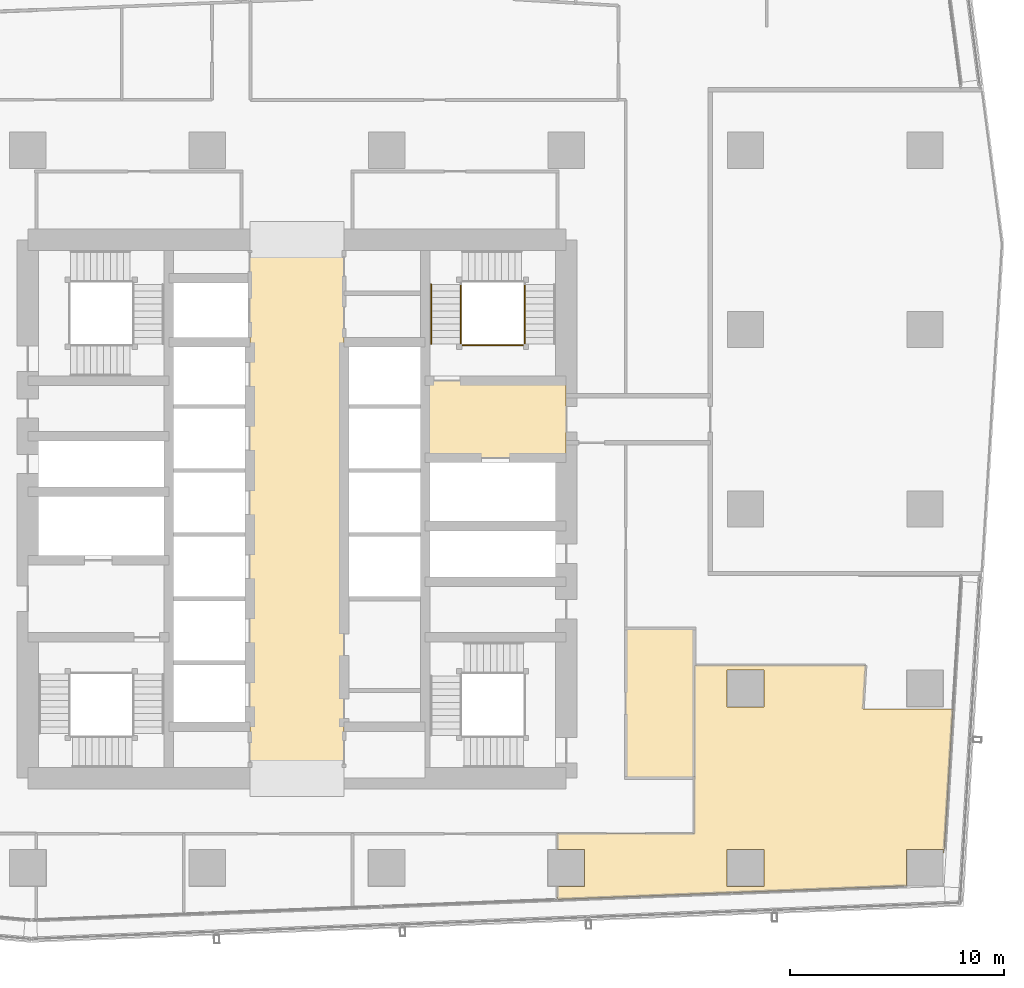
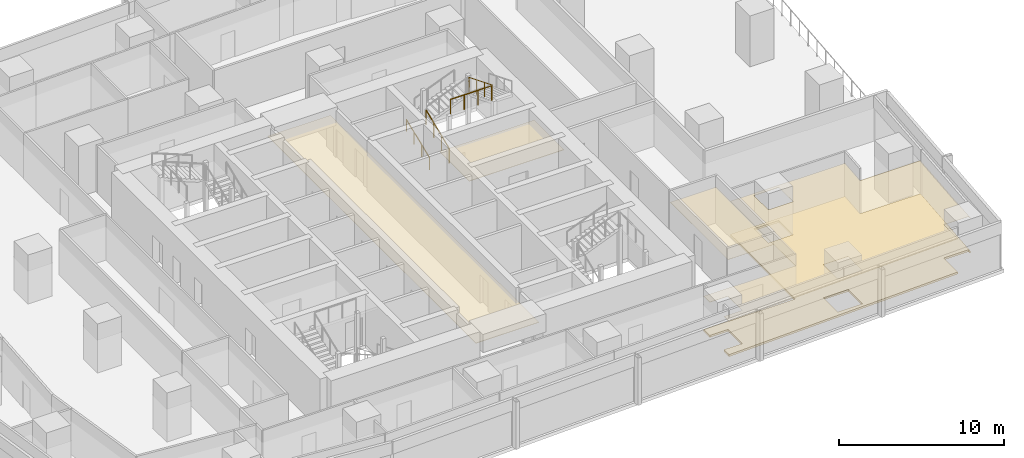
# One storey, part 38 of 40: 5 coverings, 4 railings.
"""IFC4 building model written with IfcOpenShell, lengths in metres."""

from ifc_helpers import new_model, si_unit, direction, frame, origin, origin_2d, place, context, subcontext, project, spatial, polyline, circle, outline, extrude, material, layer, layer_set, type_object, element, save


model = new_model("IFC4")

# Units and contexts
model_context = context("Model", 3, precision=1e-05, world=origin(), true_north=direction((0.0, 1.0)))
body_context = subcontext(model_context, "Body", "Model", "MODEL_VIEW")
ifc_project = project(units=[si_unit("LENGTHUNIT", "METRE"), si_unit("AREAUNIT", "SQUARE_METRE"), si_unit("VOLUMEUNIT", "CUBIC_METRE"), si_unit("PLANEANGLEUNIT", "RADIAN"), si_unit("MASSUNIT", "GRAM", prefix="KILO")], contexts=[model_context])

# Site, building, storey
site_placement = place(None, origin())
site = spatial("IfcSite", under=ifc_project, at=site_placement, CompositionType="ELEMENT")
building_placement = place(site_placement, origin())
building = spatial("IfcBuilding", under=site, at=building_placement, Name="Rekha Terrace Tower", CompositionType="ELEMENT")
storey_placement = place(building_placement, frame((0.0, 0.0, 129.050048828125)))
storey = spatial("IfcBuildingStorey", under=building, at=storey_placement, Name="L32", CompositionType="ELEMENT", Elevation=129.050048828125)

# Coverings
ifc_material_1 = material(Name="Mineral fibre tile in exposed grid", Category="finish")
ifc_layer_1 = layer(ifc_material_1, 0.02001953125)
ifc_layer_set_1 = layer_set([ifc_layer_1], Name="Mineral fibre tile in exposed grid")
covering_type_1 = type_object("IfcCoveringType", Name="CL1 600x1200 office grid ceiling", PredefinedType="CEILING", material=ifc_layer_set_1)
covering_1_placement = place(storey_placement, frame((0.0, 0.0, 2.579833984375)))
element("IfcCovering", 1, at=covering_1_placement, inside=storey, type_object=covering_type_1, Name="Ceiling L32-12", PredefinedType="CEILING", context=body_context, shape_type="SweptSolid", body=[
    extrude(outline(polyline([(49.998046875, 15.321044921875), (57.8369140625, 15.6259765625), (66.3349609375, 15.95703125), (66.3349609375, 17.6650390625), (68.06494140625, 17.6650390625), (68.06494140625, 17.48291015625), (68.090087890625, 17.48193359375), (68.493896484375, 24.072021484375), (68.50390625, 24.23291015625), (64.2958984375, 24.23291015625), (64.4208984375, 26.277099609375), (56.39990234375, 26.277099609375), (56.39990234375, 18.39990234375), (49.998046875, 18.39990234375), (49.998046875, 17.6650390625), (51.264892578125, 17.6650390625), (51.264892578125, 15.93505859375), (49.998046875, 15.93505859375), (49.998046875, 15.321044921875)]), holes=[polyline([(59.6650390625, 15.93505859375), (57.93505859375, 15.93505859375), (57.93505859375, 17.6650390625), (59.6650390625, 17.6650390625), (59.6650390625, 15.93505859375)]), polyline([(59.6650390625, 26.06494140625), (59.6650390625, 24.3349609375), (57.93505859375, 24.3349609375), (57.93505859375, 26.06494140625), (59.6650390625, 26.06494140625)])]), origin(), (0.0, 0.0, 1.0), 0.02001953125),
])
ifc_material_2 = material(Name="Fibre cement board", Category="finish")
ifc_layer_2 = layer(ifc_material_2, 0.014892578125)
ifc_layer_set_2 = layer_set([ifc_layer_2], Name="Fibre cement board")
covering_type_2 = type_object("IfcCoveringType", Name="CL2 moisture-resistant board ceiling", PredefinedType="CEILING", material=ifc_layer_set_2)
covering_2_placement = place(storey_placement, frame((0.0, 0.0, 2.5849609375)))
element("IfcCovering", 2, at=covering_2_placement, inside=storey, type_object=covering_type_2, Name="Ceiling L32-WCM2", PredefinedType="CEILING", context=body_context, shape_type="SweptSolid", body=[
    extrude(outline(polyline([(56.39990234375, 28.0), (53.199951171875, 28.0), (53.199951171875, 21.0), (56.39990234375, 21.0), (56.39990234375, 28.0)])), origin(), (0.0, 0.0, 1.0), 0.014892578125),
])
ifc_material_3 = material(Name="Powder-coated aluminium pan", Category="aluminium")
ifc_layer_3 = layer(ifc_material_3, 0.030029296875)
ifc_layer_set_3 = layer_set([ifc_layer_3], Name="Powder-coated aluminium pan")
covering_type_3 = type_object("IfcCoveringType", Name="CL3 300x1200 metal pan ceiling", PredefinedType="CEILING", material=ifc_layer_set_3)
covering_3_placement = place(storey_placement, frame((0.0, 0.0, 2.570068359375)))
element("IfcCovering", 3, at=covering_3_placement, inside=storey, type_object=covering_type_3, Name="Ceiling L32-LOBBY", PredefinedType="CEILING", context=body_context, shape_type="SweptSolid", body=[
    extrude(outline(polyline([(40.0, 46.199951171875), (35.60009765625, 46.199951171875), (35.60009765625, 21.0), (40.0, 21.0), (40.0, 46.199951171875)])), origin(), (0.0, 0.0, 1.0), 0.02978515625),
])
covering_4_placement = place(storey_placement, frame((0.0, 0.0, 2.570068359375)))
element("IfcCovering", 4, at=covering_4_placement, inside=storey, type_object=covering_type_3, Name="Ceiling L32-FLB2", PredefinedType="CEILING", context=body_context, shape_type="SweptSolid", body=[
    extrude(outline(polyline([(50.39990234375, 39.60009765625), (43.800048828125, 39.60009765625), (43.800048828125, 36.0), (50.39990234375, 36.0), (50.39990234375, 39.60009765625)])), origin(), (0.0, 0.0, 1.0), 0.02978515625),
])

# Railings
ifc_material_4 = material(Name="Stainless steel balustrade", Category="steel")
railing_type_1 = type_object("IfcRailingType", Name="GR1 1100 stair guard", PredefinedType="GUARDRAIL", material=ifc_material_4)
railing_1_placement = place(storey_placement, frame((45.465087890625, 41.324951171875, 0.125)))
element("IfcRailing", 5, at=railing_1_placement, inside=storey, type_object=railing_type_1, Name="Guard ST2 L32 flight 1", PredefinedType="GUARDRAIL", context=body_context, shape_type="SweptSolid", body=[
    extrude(circle(Radius=0.02392578125, at=origin_2d()), frame((0.0, 0.0, 1.076171875), z_axis=(0.0, 0.927443287984, 0.373963831907), x_axis=(-1.0, 0.0, 0.0)), (0.0, 0.0, 1.0), 3.00830078125),
    extrude(circle(Radius=0.02099609375, at=origin_2d()), origin(), (0.0, 0.0, 1.0), 1.052001953125),
    extrude(circle(Radius=0.02099609375, at=origin_2d()), frame((0.0, 0.929931640625, 0.375)), (0.0, 0.0, 1.0), 1.052001953125),
    extrude(circle(Radius=0.02099609375, at=origin_2d()), frame((0.0, 1.860107421875, 0.75)), (0.0, 0.0, 1.0), 1.052001953125),
    extrude(circle(Radius=0.02099609375, at=origin_2d()), frame((0.0, 2.7900390625, 1.125)), (0.0, 0.0, 1.0), 1.052001953125),
])
railing_2_placement = place(storey_placement, frame((48.4599609375, 44.114990234375, 2.625)))
element("IfcRailing", 6, at=railing_2_placement, inside=storey, type_object=railing_type_1, Name="Guard ST2 L32 flight 3", PredefinedType="GUARDRAIL", context=body_context, shape_type="SweptSolid", body=[
    extrude(circle(Radius=0.02392578125, at=origin_2d()), frame((0.0, 0.0, 1.076171875), z_axis=(0.0, -0.927443287984, 0.373963831907), x_axis=(1.0, 0.0, 0.0)), (0.0, 0.0, 1.0), 3.00830078125),
    extrude(circle(Radius=0.02099609375, at=origin_2d()), origin(), (0.0, 0.0, 1.0), 1.052001953125),
    extrude(circle(Radius=0.02099609375, at=origin_2d()), frame((0.0, -0.929931640625, 0.375)), (0.0, 0.0, 1.0), 1.052001953125),
    extrude(circle(Radius=0.02099609375, at=origin_2d()), frame((0.0, -1.860107421875, 0.75)), (0.0, 0.0, 1.0), 1.052001953125),
    extrude(circle(Radius=0.02099609375, at=origin_2d()), frame((0.0, -2.7900390625, 1.125)), (0.0, 0.0, 1.0), 1.052001953125),
])
railing_3_placement = place(storey_placement, frame((45.52490234375, 41.264892578125, 3.75)))
element("IfcRailing", 7, at=railing_3_placement, inside=storey, type_object=railing_type_1, Name="Guard ST2 L32 landing 4", PredefinedType="GUARDRAIL", context=body_context, shape_type="SweptSolid", body=[
    extrude(circle(Radius=0.02392578125, at=origin_2d()), frame((0.0, 0.0, 1.076171875), z_axis=(1.0, 0.0, 0.0), x_axis=(0.0, 1.0, 0.0)), (0.0, 0.0, 1.0), 2.875),
    extrude(circle(Radius=0.02099609375, at=origin_2d()), origin(), (0.0, 0.0, 1.0), 1.052001953125),
    extrude(circle(Radius=0.02099609375, at=origin_2d()), frame((0.958251953125, 0.0, 0.0)), (0.0, 0.0, 1.0), 1.052001953125),
    extrude(circle(Radius=0.02099609375, at=origin_2d()), frame((1.916748046875, 0.0, 0.0)), (0.0, 0.0, 1.0), 1.052001953125),
    extrude(circle(Radius=0.02099609375, at=origin_2d()), frame((2.875, 0.0, 0.0)), (0.0, 0.0, 1.0), 1.052001953125),
])
ifc_material_5 = material(Name="Stainless steel tube", Category="steel")
railing_type_2 = type_object("IfcRailingType", Name="HR1 900 stair handrail", PredefinedType="HANDRAIL", material=ifc_material_5)
railing_4_placement = place(storey_placement, frame((44.0849609375, 41.324951171875, 0.125)))
element("IfcRailing", 8, at=railing_4_placement, inside=storey, type_object=railing_type_2, Name="Handrail ST2 L32 flight 1", PredefinedType="HANDRAIL", context=body_context, shape_type="SweptSolid", body=[
    extrude(circle(Radius=0.02392578125, at=origin_2d()), frame((0.0, 0.0, 0.8759765625), z_axis=(0.0, 0.927443287984, 0.373963831907), x_axis=(-1.0, 0.0, 0.0)), (0.0, 0.0, 1.0), 3.00830078125),
    extrude(circle(Radius=0.02099609375, at=origin_2d()), origin(), (0.0, 0.0, 1.0), 0.851806640625),
    extrude(circle(Radius=0.02099609375, at=origin_2d()), frame((0.0, 0.929931640625, 0.375)), (0.0, 0.0, 1.0), 0.851806640625),
    extrude(circle(Radius=0.02099609375, at=origin_2d()), frame((0.0, 1.860107421875, 0.75)), (0.0, 0.0, 1.0), 0.851806640625),
    extrude(circle(Radius=0.02099609375, at=origin_2d()), frame((0.0, 2.7900390625, 1.125)), (0.0, 0.0, 1.0), 0.851806640625),
])

# Covering
ifc_material_6 = material(Name="Calcium sulphate panels on steel pedestals", Category="steel")
ifc_layer_4 = layer(ifc_material_6, 0.14990234375)
ifc_layer_set_4 = layer_set([ifc_layer_4], Name="Calcium sulphate panels on steel pedestals")
covering_type_4 = type_object("IfcCoveringType", Name="RF1 150 raised access floor", PredefinedType="FLOORING", material=ifc_layer_set_4)
covering_5_placement = place(storey_placement, origin())
element("IfcCovering", 9, at=covering_5_placement, inside=storey, type_object=covering_type_4, Name="Raised floor L32-12", PredefinedType="FLOORING", context=body_context, shape_type="SweptSolid", body=[
    extrude(outline(polyline([(49.998046875, 15.321044921875), (57.8369140625, 15.6259765625), (66.3349609375, 15.95703125), (66.3349609375, 17.6650390625), (68.06494140625, 17.6650390625), (68.06494140625, 17.48291015625), (68.090087890625, 17.48193359375), (68.493896484375, 24.072021484375), (68.50390625, 24.23291015625), (64.2958984375, 24.23291015625), (64.4208984375, 26.277099609375), (56.39990234375, 26.277099609375), (56.39990234375, 18.39990234375), (49.998046875, 18.39990234375), (49.998046875, 17.6650390625), (51.264892578125, 17.6650390625), (51.264892578125, 15.93505859375), (49.998046875, 15.93505859375), (49.998046875, 15.321044921875)]), holes=[polyline([(59.6650390625, 15.93505859375), (57.93505859375, 15.93505859375), (57.93505859375, 17.6650390625), (59.6650390625, 17.6650390625), (59.6650390625, 15.93505859375)]), polyline([(59.6650390625, 26.06494140625), (59.6650390625, 24.3349609375), (57.93505859375, 24.3349609375), (57.93505859375, 26.06494140625), (59.6650390625, 26.06494140625)])]), origin(), (0.0, 0.0, 1.0), 0.14990234375),
])

save(model, "model.ifc")
